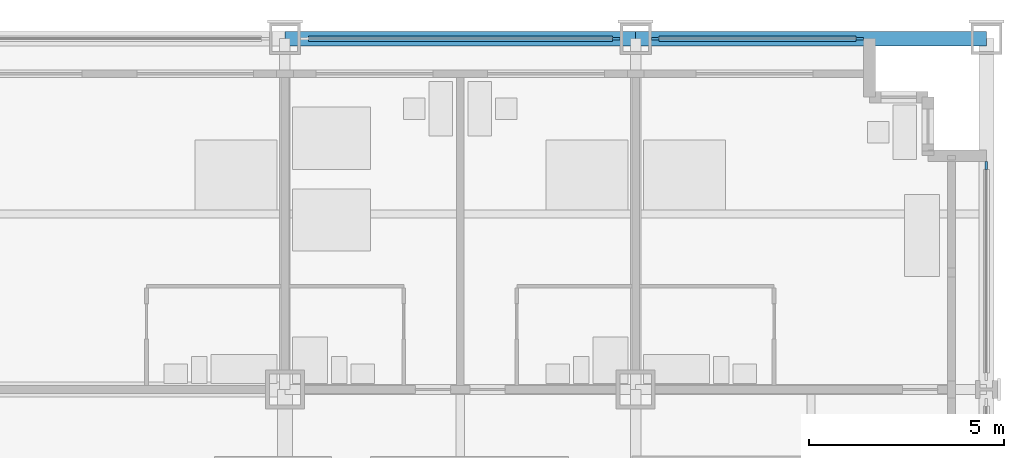
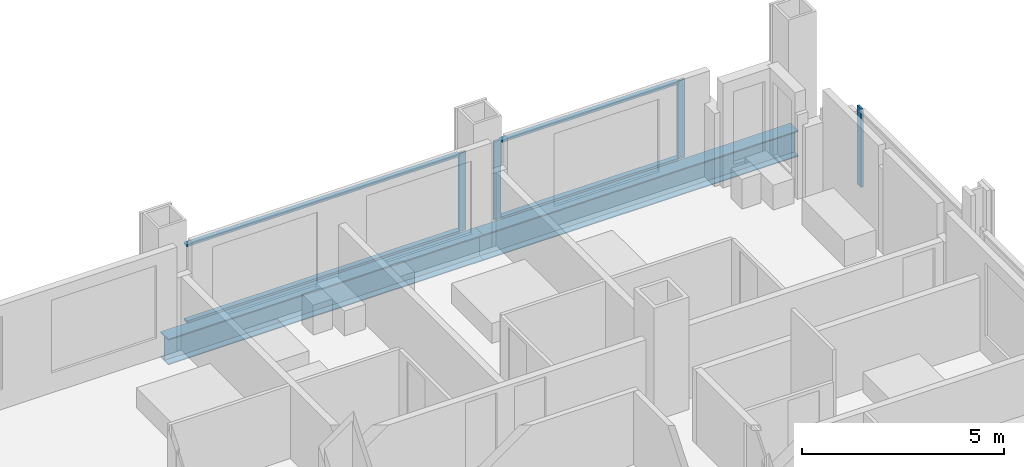
# One storey, part 8 of 19: 8 members, 2 beams, 3 elements without a shape of their own.
"""IFC4 building model written with IfcOpenShell, lengths in metres."""

from ifc_helpers import new_model, si_unit, direction, frame, origin, origin_2d, place, context, subcontext, project, spatial, rectangle, i_section, extrude, material, material_profile, profile_set, type_object, element, aggregate, save


model = new_model("IFC4")

# Units and contexts
model_context = context("Model", 3, precision=1e-05, world=origin(), true_north=direction((0.0, 1.0)))
body_context = subcontext(model_context, "Body", "Model", "MODEL_VIEW")
ifc_project = project(units=[si_unit("LENGTHUNIT", "METRE"), si_unit("AREAUNIT", "SQUARE_METRE"), si_unit("VOLUMEUNIT", "CUBIC_METRE"), si_unit("PLANEANGLEUNIT", "RADIAN"), si_unit("MASSUNIT", "GRAM", prefix="KILO")], contexts=[model_context])

# Site, building, storey
site_placement = place(None, origin())
site = spatial("IfcSite", under=ifc_project, at=site_placement, CompositionType="ELEMENT")
building_placement = place(site_placement, origin())
building = spatial("IfcBuilding", under=site, at=building_placement, Name="Loomwork Tower", CompositionType="ELEMENT")
storey_placement = place(building_placement, frame((0.0, 0.0, 85.800048828125)))
storey = spatial("IfcBuildingStorey", under=building, at=storey_placement, Name="L22", CompositionType="ELEMENT", Elevation=85.800048828125)

# Curtain wall, member
ifc_material_1 = material(Name="Aluminium curtain wall frame", Category="aluminium")
curtain_wall_type = type_object("IfcCurtainWallType", Name="Outer skin glazing hotel", PredefinedType="NOTDEFINED", material=ifc_material_1)
curtain_wall_1_placement = place(storey_placement, origin())
curtain_wall_1 = element("IfcCurtainWall", 1, at=curtain_wall_1_placement, inside=storey, type_object=curtain_wall_type, Name="Outer skin glazing hotel cw/N-36", PredefinedType="NOTDEFINED")
ifc_material_2 = material(Name="Aluminium curtain wall frame", Category="aluminium")
ifc_material_profile_1 = material_profile(ifc_material_2, rectangle(XDim=0.06494140625, YDim=0.199951171875, at=origin_2d()), Name="AL 65x200")
ifc_profile_set_1 = profile_set([ifc_material_profile_1], Name="Aluminium curtain wall frame")
member_type_1 = type_object("IfcMemberType", Name="Outer skin glazing hotel mullion", PredefinedType="MULLION", material=ifc_profile_set_1)
member_1_placement = place(storey_placement, frame((44.5, 36.0, 0.0), z_axis=(0.0, 0.0, 1.0), x_axis=(0.0, -1.0, 0.0)))
member_1 = element("IfcMember", 2, at=member_1_placement, type_object=member_type_1, Name="CW1 mullion 1", PredefinedType="MULLION", context=body_context, shape_type="SweptSolid", body=[
    extrude(rectangle(XDim=0.06494140625, YDim=0.199951171875, at=origin_2d()), origin(), (0.0, 0.0, 1.0), 2.3701171875),
])

# Curtain wall, members
curtain_wall_2_placement = place(storey_placement, origin())
curtain_wall_2 = element("IfcCurtainWall", 3, at=curtain_wall_2_placement, inside=storey, type_object=curtain_wall_type, Name="Outer skin glazing hotel cw/N-45", PredefinedType="NOTDEFINED")
member_2_placement = place(storey_placement, frame((50.75, 36.0, 0.0), z_axis=(0.0, 0.0, 1.0), x_axis=(0.0, -1.0, 0.0)))
member_2 = element("IfcMember", 4, at=member_2_placement, type_object=member_type_1, Name="CW1 mullion 1", PredefinedType="MULLION", context=body_context, shape_type="SweptSolid", body=[
    extrude(rectangle(XDim=0.06494140625, YDim=0.199951171875, at=origin_2d()), origin(), (0.0, 0.0, 1.0), 2.3701171875),
])
member_3_placement = place(storey_placement, frame((45.5, 36.0, 0.0), z_axis=(0.0, 0.0, 1.0), x_axis=(0.0, -1.0, 0.0)))
member_3 = element("IfcMember", 5, at=member_3_placement, type_object=member_type_1, Name="CW1 mullion 2", PredefinedType="MULLION", context=body_context, shape_type="SweptSolid", body=[
    extrude(rectangle(XDim=0.06494140625, YDim=0.199951171875, at=origin_2d()), origin(), (0.0, 0.0, 1.0), 2.3701171875),
])

# Curtain wall, member
curtain_wall_3_placement = place(storey_placement, origin())
curtain_wall_3 = element("IfcCurtainWall", 6, at=curtain_wall_3_placement, inside=storey, type_object=curtain_wall_type, Name="Outer skin glazing hotel cw/E-27", PredefinedType="NOTDEFINED")
member_4_placement = place(storey_placement, frame((54.0, 32.75, 0.0), z_axis=(0.0, 0.0, 1.0), x_axis=(-1.0, 0.0, 0.0)))
member_4 = element("IfcMember", 7, at=member_4_placement, type_object=member_type_1, Name="CW1 mullion 2", PredefinedType="MULLION", context=body_context, shape_type="SweptSolid", body=[
    extrude(rectangle(XDim=0.06494140625, YDim=0.199951171875, at=origin_2d()), origin(), (0.0, 0.0, 1.0), 2.3701171875),
])
aggregate(curtain_wall_3, [member_4])

# Member
ifc_material_3 = material(Name="Aluminium curtain wall frame", Category="aluminium")
ifc_material_profile_2 = material_profile(ifc_material_3, rectangle(XDim=0.14990234375, YDim=0.06494140625, at=origin_2d()), Name="AL 65x150")
ifc_profile_set_2 = profile_set([ifc_material_profile_2], Name="Aluminium curtain wall frame")
member_type_2 = type_object("IfcMemberType", Name="Outer skin glazing hotel transom", PredefinedType="USERDEFINED", material=ifc_profile_set_2)
member_5_placement = place(storey_placement, frame((44.39990234375, 36.0, 0.032470703125), z_axis=(-1.0, 0.0, 0.0), x_axis=(0.0, -1.0, 0.0)))
member_5 = element("IfcMember", 8, at=member_5_placement, type_object=member_type_2, Name="CW1 transom 1.1", ObjectType="TRANSOM", PredefinedType="USERDEFINED", context=body_context, shape_type="SweptSolid", body=[
    extrude(rectangle(XDim=0.14990234375, YDim=0.06494140625, at=origin_2d()), origin(), (0.0, 0.0, 1.0), 7.7998046875),
])

member_6_placement = place(storey_placement, frame((44.39990234375, 36.0, 2.337646484375), z_axis=(-1.0, 0.0, 0.0), x_axis=(0.0, -1.0, 0.0)))
member_6 = element("IfcMember", 9, at=member_6_placement, type_object=member_type_2, Name="CW1 transom 1.2", ObjectType="TRANSOM", PredefinedType="USERDEFINED", context=body_context, shape_type="SweptSolid", body=[
    extrude(rectangle(XDim=0.14990234375, YDim=0.06494140625, at=origin_2d()), origin(), (0.0, 0.0, 1.0), 7.7998046875),
])

aggregate(curtain_wall_1, [member_1, member_5, member_6])

member_7_placement = place(storey_placement, frame((50.64990234375, 36.0, 0.032470703125), z_axis=(-1.0, 0.0, 0.0), x_axis=(0.0, -1.0, 0.0)))
member_7 = element("IfcMember", 10, at=member_7_placement, type_object=member_type_2, Name="CW1 transom 1.1", ObjectType="TRANSOM", PredefinedType="USERDEFINED", context=body_context, shape_type="SweptSolid", body=[
    extrude(rectangle(XDim=0.14990234375, YDim=0.06494140625, at=origin_2d()), origin(), (0.0, 0.0, 1.0), 5.0498046875),
])

member_8_placement = place(storey_placement, frame((50.64990234375, 36.0, 2.337646484375), z_axis=(-1.0, 0.0, 0.0), x_axis=(0.0, -1.0, 0.0)))
member_8 = element("IfcMember", 11, at=member_8_placement, type_object=member_type_2, Name="CW1 transom 1.2", ObjectType="TRANSOM", PredefinedType="USERDEFINED", context=body_context, shape_type="SweptSolid", body=[
    extrude(rectangle(XDim=0.14990234375, YDim=0.06494140625, at=origin_2d()), origin(), (0.0, 0.0, 1.0), 5.0498046875),
])

aggregate(curtain_wall_2, [member_2, member_3, member_7, member_8])

# Beams
ifc_material_4 = material(Name="Steel ASTM A992", Category="steel")
ifc_material_profile_3 = material_profile(ifc_material_4, i_section(OverallWidth=0.381103515625, OverallDepth=0.77978515625, WebThickness=0.01806640625, FlangeThickness=0.0302734375, at=origin_2d()), Name="W30x191")
ifc_profile_set_3 = profile_set([ifc_material_profile_3], Name="Steel ASTM A992")
beam_type = type_object("IfcBeamType", Name="SPANDREL GIRDER W30x191", PredefinedType="SPANDREL", material=ifc_profile_set_3)
for number, where, z_axis, x_axis, name in (
    (12, (36.0, 36.0, -0.58984375), (1.0, 0.0, 0.0), (0.0, 1.0, 0.0), "Spandrel Girder H/6-H/7 L22"),
    (13, (45.0, 36.0, -0.58984375), (1.0, 0.0, 0.0), (0.0, 1.0, 0.0), "Spandrel Girder H/7-H/8 L22"),
):
    element("IfcBeam", number, at=place(storey_placement, frame(where, z_axis=z_axis, x_axis=x_axis)), inside=storey, type_object=beam_type, Name=name, PredefinedType="SPANDREL", context=body_context, shape_type="SweptSolid", body=[
        extrude(i_section(OverallWidth=0.381103515625, OverallDepth=0.77978515625, WebThickness=0.01806640625, FlangeThickness=0.0302734375, at=origin_2d()), origin(), (0.0, 0.0, 1.0), 9.0),
    ])

save(model, "model.ifc")
